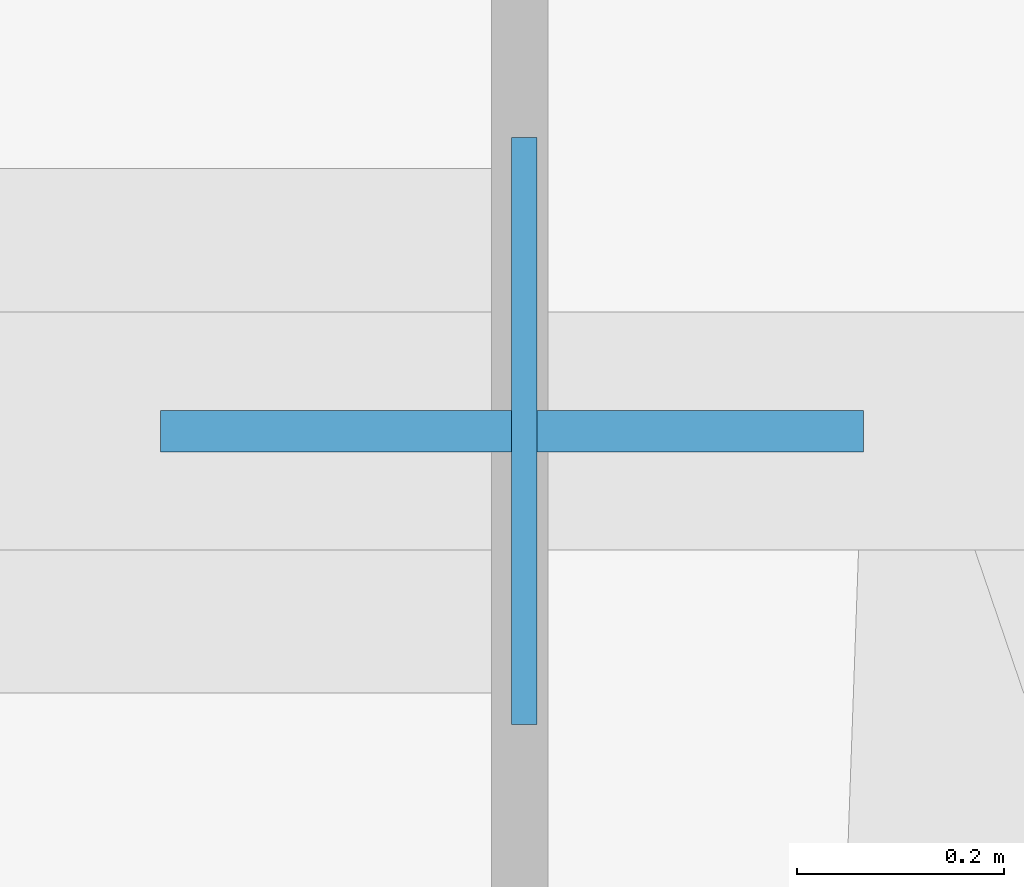
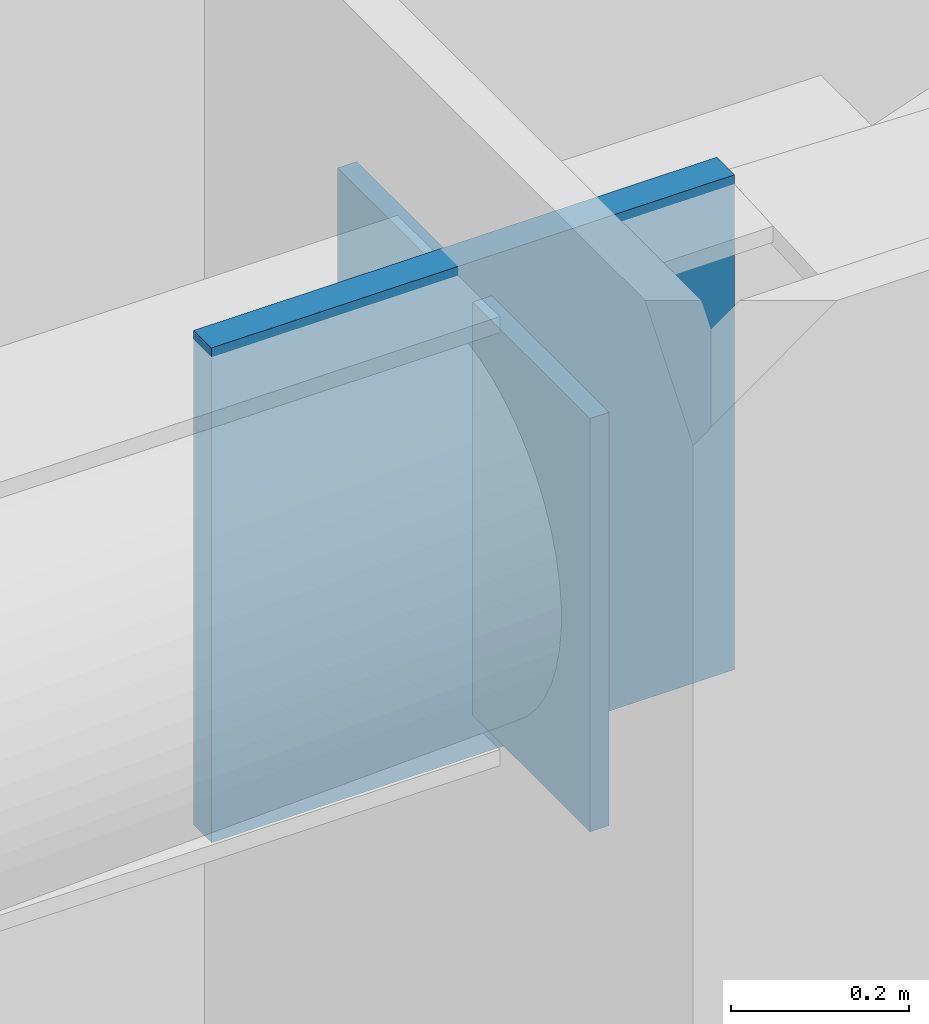
# One storey, part 5 of 14: 2 plates.
"""IFC4 building model written with IfcOpenShell, lengths in metres."""

import ifcopenshell
import ifcopenshell.guid

model = None  # the IFC model being written
_history = None  # IfcOwnerHistory: only IFC2X3 demands one
_inside = {}  # id of a spatial element -> (the spatial element, [elements in it])
_under = {}  # id of a project, library or spatial element -> (it, [spatial elements below it])
_declared = {}  # id of a project -> (the project, [libraries it declares])
_typed = {}  # id of a type object -> (the type object, [elements of that type])
_made_of = {}  # id of a material, layer set ... -> (it, [elements and type objects made of it])


def new_model(schema):
    """Start an empty IFC model of exactly this schema.

    Asked for "IFC4X3", IfcOpenShell would pick the latest addendum, in which some entities
    have other attributes; the version numbers below select the first issue.
    IFC2X3 requires an IfcOwnerHistory on every rooted entity: one is made here for all.
    """
    global model, _history
    if schema == "IFC4X3":
        model = ifcopenshell.file(schema_version=(4, 3, 0, 0))
    else:
        model = ifcopenshell.file(schema=schema)
    _inside.clear()
    _under.clear()
    _declared.clear()
    _typed.clear()
    _made_of.clear()
    _history = None
    if model.schema == "IFC2X3":
        org = make("IfcOrganization", Name="unknown")
        user = make(
            "IfcPersonAndOrganization",
            ThePerson=make("IfcPerson", FamilyName="unknown"),
            TheOrganization=org,
        )
        app = make(
            "IfcApplication",
            ApplicationDeveloper=org,
            Version="unknown",
            ApplicationFullName="unknown",
            ApplicationIdentifier="unknown",
        )
        _history = make(
            "IfcOwnerHistory",
            OwningUser=user,
            OwningApplication=app,
            ChangeAction="ADDED",
            CreationDate=0,
        )
    return model


def make(cls, **values):
    """One entity of the class cls with the attributes given. An attribute that is None is left unset."""
    return model.create_entity(
        cls, **{name: value for name, value in values.items() if value is not None}
    )


def rooted(cls, **values):
    """An entity with a GlobalId (a new one), such as an element, a storey or a relation."""
    return make(cls, GlobalId=ifcopenshell.guid.new(), OwnerHistory=_history, **values)


def si_unit(unit_type, name, prefix=None):
    """IfcSIUnit, for example si_unit("LENGTHUNIT", "METRE", prefix="MILLI")."""
    return make("IfcSIUnit", UnitType=unit_type, Prefix=prefix, Name=name)


def assignment(units):
    """IfcUnitAssignment: the units of a project."""
    return None if units is None else make("IfcUnitAssignment", Units=units)


def point(xyz):
    """IfcCartesianPoint."""
    return None if xyz is None else make("IfcCartesianPoint", Coordinates=xyz)


def direction(xyz):
    """IfcDirection."""
    return None if xyz is None else make("IfcDirection", DirectionRatios=xyz)


def frame(location, z_axis=None, x_axis=None):
    """IfcAxis2Placement3D, a coordinate frame: its origin and axes. An axis left out is left unset."""
    return make(
        "IfcAxis2Placement3D",
        Location=point(location),
        Axis=direction(z_axis),
        RefDirection=direction(x_axis),
    )


def frame_2d(location, x_axis=None):
    """IfcAxis2Placement2D, a coordinate frame in the plane: its origin and x axis."""
    return make(
        "IfcAxis2Placement2D", Location=point(location), RefDirection=direction(x_axis)
    )


def origin():
    """The frame at (0, 0, 0) with its axes left unset."""
    return frame((0.0, 0.0, 0.0))


def origin_2d():
    """The frame at (0, 0) in the plane with its x axis left unset."""
    return frame_2d((0.0, 0.0))


def place(relative_to, where):
    """IfcLocalPlacement: puts the frame where relative to a parent placement (None: the world)."""
    return make(
        "IfcLocalPlacement", PlacementRelTo=relative_to, RelativePlacement=where
    )


def context(
    kind, dimensions, precision=None, world=None, true_north=None, identifier=None
):
    """IfcGeometricRepresentationContext, for example the 3D "Model" context."""
    return make(
        "IfcGeometricRepresentationContext",
        ContextIdentifier=identifier,
        ContextType=kind,
        CoordinateSpaceDimension=dimensions,
        Precision=precision,
        WorldCoordinateSystem=world,
        TrueNorth=true_north,
    )


def subcontext(parent, identifier, kind, view, scale=None):
    """IfcGeometricRepresentationSubContext, for example "Body" below "Model"."""
    return make(
        "IfcGeometricRepresentationSubContext",
        ContextIdentifier=identifier,
        ContextType=kind,
        ParentContext=parent,
        TargetScale=scale,
        TargetView=view,
    )


def project(units=None, contexts=None):
    """IfcProject with its units and contexts."""
    return rooted(
        "IfcProject",
        Name="project",
        RepresentationContexts=contexts,
        UnitsInContext=assignment(units),
    )


def spatial(cls, under=None, at=None, **own):
    """A site, building, storey or space (cls), placed at a placement, below another one or the project."""
    s = rooted(cls, ObjectPlacement=at, **own)
    if under is not None:
        _under.setdefault(under.id(), (under, []))[1].append(s)
    return s


def profile(cls, at=None, kind="AREA", **sizes):
    """A parametric profile (cls). Its sizes go by their IFC names, for example OverallWidth=200.0."""
    return make(cls, ProfileType=kind, Position=at, **sizes)


def rectangle(**sizes):
    """IfcRectangleProfileDef."""
    return profile("IfcRectangleProfileDef", **sizes)


def extrude(swept, where, along, depth):
    """IfcExtrudedAreaSolid: the profile swept, set in the frame where, extruded along a direction by depth."""
    return make(
        "IfcExtrudedAreaSolid",
        SweptArea=swept,
        Position=where,
        ExtrudedDirection=direction(along),
        Depth=depth,
    )


def shape(context_of_items, identifier, shape_type, items):
    """IfcShapeRepresentation: the items that make up one representation, for example the "Body"."""
    return make(
        "IfcShapeRepresentation",
        ContextOfItems=context_of_items,
        RepresentationIdentifier=identifier,
        RepresentationType=shape_type,
        Items=items,
    )


def material(Name=None, Category=None):
    """IfcMaterial."""
    return make("IfcMaterial", Name=Name, Category=Category)


def layer(
    of_material, thickness, ventilated=None, Name=None, Category=None, Priority=None
):
    """IfcMaterialLayer: one layer of a wall or slab, of a material (None: an air gap)."""
    return make(
        "IfcMaterialLayer",
        Material=of_material,
        LayerThickness=thickness,
        IsVentilated=ventilated,
        Name=Name,
        Category=Category,
        Priority=Priority,
    )


def layer_set(layers, Name=None):
    """IfcMaterialLayerSet."""
    return make("IfcMaterialLayerSet", MaterialLayers=layers, LayerSetName=Name)


def made_of(thing, what):
    """Note that an element or type object is made of a material, layer set ...; save() writes the relation."""
    if what is not None:
        _made_of.setdefault(what.id(), (what, []))[1].append(thing)
    return thing


def type_object(cls, material=None, **own):
    """A type object (cls), such as IfcWallType, which elements share."""
    return made_of(rooted(cls, **own), material)


def element(
    cls,
    number,
    at=None,
    inside=None,
    cuts=None,
    type_object=None,
    material=None,
    context=None,
    identifier="Body",
    shape_type=None,
    held_by="IfcProductDefinitionShape",
    body=None,
    shapes=None,
    **own,
):
    """One element of the class cls, such as IfcWall. Its Tag is "e" and its number.

    at: its placement. inside: the storey or other place that contains it. cuts: it is an
    opening in that element (IfcRelVoidsElement). A single representation is given by context,
    identifier, shape_type and body (its items); several are given by shapes. held_by: the class
    of the entity that holds the representations. save() writes the other relations.
    """
    e = rooted(cls, Tag="e%d" % number, ObjectPlacement=at, **own)
    if body is not None:
        shapes = [shape(context, identifier, shape_type, body)]
    if shapes is not None:
        e.Representation = make(held_by, Representations=shapes)
    if inside is not None:
        _inside.setdefault(inside.id(), (inside, []))[1].append(e)
    if cuts is not None:
        rooted(
            "IfcRelVoidsElement", RelatingBuildingElement=cuts, RelatedOpeningElement=e
        )
    if type_object is not None:
        _typed.setdefault(type_object.id(), (type_object, []))[1].append(e)
    return made_of(e, material)


def aggregate(whole, parts):
    """IfcRelAggregates: a whole, such as a stair, and the parts it consists of."""
    return rooted("IfcRelAggregates", RelatingObject=whole, RelatedObjects=parts)


def save(model, path):
    """Write the relations noted so far, then the file.

    IfcRelAggregates (storeys below a building ...), IfcRelContainedInSpatialStructure (elements
    in a storey), IfcRelDefinesByType, IfcRelAssociatesMaterial and IfcRelDeclares: one each for
    every whole, place, type object, material and project.
    """
    for whole, parts in _under.values():
        aggregate(whole, parts)
    for where, things in _inside.values():
        rooted(
            "IfcRelContainedInSpatialStructure",
            RelatedElements=things,
            RelatingStructure=where,
        )
    for kind, things in _typed.values():
        rooted("IfcRelDefinesByType", RelatedObjects=things, RelatingType=kind)
    for what, things in _made_of.values():
        rooted("IfcRelAssociatesMaterial", RelatedObjects=things, RelatingMaterial=what)
    for by, libraries in _declared.values():
        rooted("IfcRelDeclares", RelatingContext=by, RelatedDefinitions=libraries)
    model.write(path)


model = new_model("IFC4")

# Units and contexts
model_context = context("Model", 3, precision=1e-05, world=origin(), true_north=direction((0.0, 1.0)))
body_context = subcontext(model_context, "Body", "Model", "MODEL_VIEW")
ifc_project = project(units=[si_unit("LENGTHUNIT", "METRE"), si_unit("AREAUNIT", "SQUARE_METRE"), si_unit("VOLUMEUNIT", "CUBIC_METRE"), si_unit("PLANEANGLEUNIT", "RADIAN"), si_unit("MASSUNIT", "GRAM", prefix="KILO")], contexts=[model_context])

# Site, building, storey
site_placement = place(None, origin())
site = spatial("IfcSite", under=ifc_project, at=site_placement, CompositionType="ELEMENT")
building_placement = place(site_placement, origin())
building = spatial("IfcBuilding", under=site, at=building_placement, Name="Khamvora Tower", CompositionType="ELEMENT")
storey_placement = place(building_placement, frame((0.0, 0.0, 51.550048828125)))
storey = spatial("IfcBuildingStorey", under=building, at=storey_placement, Name="L12", CompositionType="ELEMENT", Elevation=51.550048828125)

# Plates
ifc_material_1 = material(Name="Steel S355", Category="steel")
ifc_layer_1 = layer(ifc_material_1, 0.02490234375)
ifc_layer_set_1 = layer_set([ifc_layer_1], Name="Steel S355")
plate_type_1 = type_object("IfcPlateType", Name="PL-CAP-25", PredefinedType="SHEET", material=ifc_layer_set_1)
plate_1_placement = place(storey_placement, frame((43.73193359375, 50.800048828125, 2.81689453125), z_axis=(0.0, 0.0, 1.0), x_axis=(1.0, 0.0, 0.0)))
element("IfcPlate", 1, at=plate_1_placement, inside=storey, type_object=plate_type_1, Name="L12 hollow section steel end cap plate 0579", PredefinedType="SHEET", context=body_context, shape_type="SweptSolid", body=[
    extrude(rectangle(XDim=0.02490234375, YDim=0.568115234375, at=origin_2d()), origin(), (0.0, 0.0, 1.0), 0.568115234375),
])
ifc_material_2 = material(Name="Steel S460", Category="steel")
ifc_layer_2 = layer(ifc_material_2, 0.0400390625)
ifc_layer_set_2 = layer_set([ifc_layer_2], Name="Steel S460")
plate_type_2 = type_object("IfcPlateType", Name="PLT-GUS-40", PredefinedType="SHEET", material=ifc_layer_set_2)
plate_2_placement = place(storey_placement, frame((43.719970703125, 50.800048828125, 2.7607421875), z_axis=(0.0, 0.0, 1.0), x_axis=(1.0, 0.0, 0.0)))
element("IfcPlate", 2, at=plate_2_placement, inside=storey, type_object=plate_type_2, Name="L12 brace connection node gusset plate 0096", PredefinedType="SHEET", context=body_context, shape_type="SweptSolid", body=[
    extrude(rectangle(XDim=0.679931640625, YDim=0.0400390625, at=origin_2d()), origin(), (0.0, 0.0, 1.0), 0.679931640625),
])

save(model, "model.ifc")
